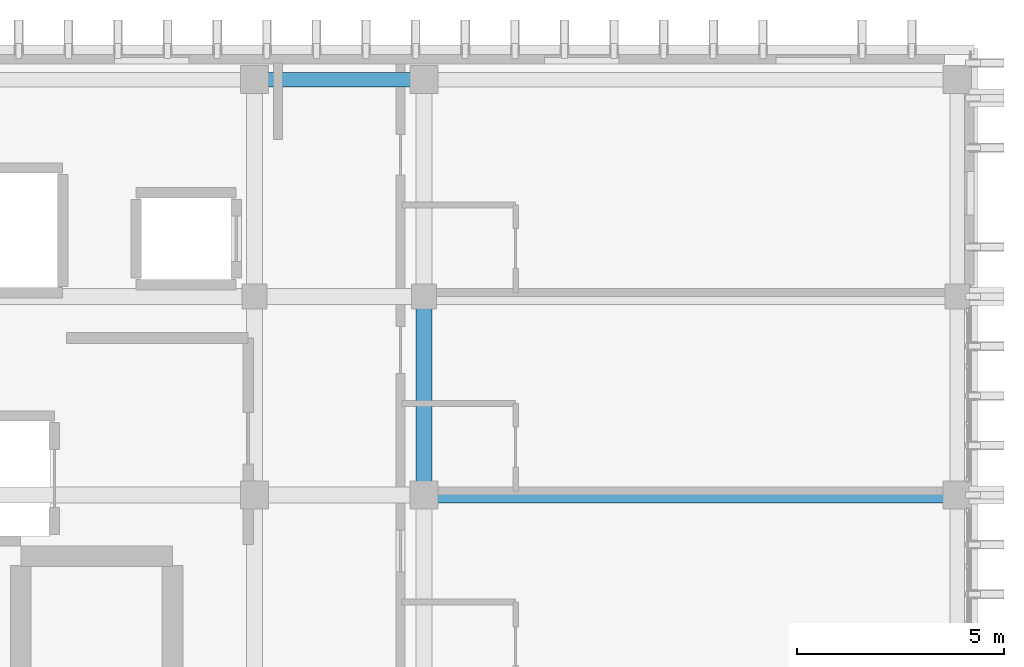
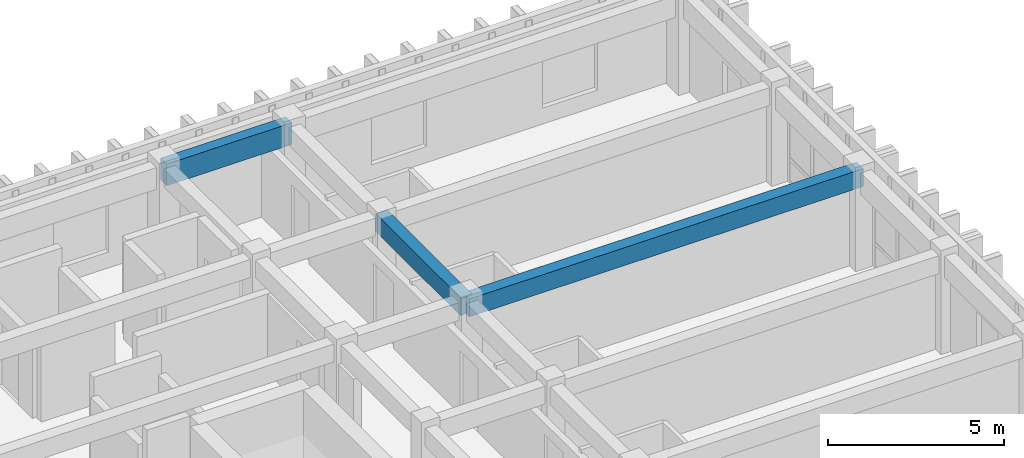
# One storey, part 39 of 53: 3 beams.
"""IFC4 building model written with IfcOpenShell, lengths in metres."""

from ifc_helpers import new_model, si_unit, direction, frame, origin, origin_2d, place, context, subcontext, project, spatial, rectangle, extrude, material, material_profile, profile_set, type_object, element, save


model = new_model("IFC4")

# Units and contexts
model_context = context("Model", 3, precision=1e-05, world=origin(), true_north=direction((0.0, 1.0)))
body_context = subcontext(model_context, "Body", "Model", "MODEL_VIEW")
ifc_project = project(units=[si_unit("LENGTHUNIT", "METRE"), si_unit("AREAUNIT", "SQUARE_METRE"), si_unit("VOLUMEUNIT", "CUBIC_METRE"), si_unit("PLANEANGLEUNIT", "RADIAN"), si_unit("MASSUNIT", "GRAM", prefix="KILO")], contexts=[model_context])

# Site, building, storey
site_placement = place(None, origin())
site = spatial("IfcSite", under=ifc_project, at=site_placement, CompositionType="ELEMENT")
building_placement = place(site_placement, origin())
building = spatial("IfcBuilding", under=site, at=building_placement, Name="Nakhvara Creek Congress Hotel", CompositionType="ELEMENT")
storey_placement = place(building_placement, frame((0.0, 0.0, 35.39990234375)))
storey = spatial("IfcBuildingStorey", under=building, at=storey_placement, Name="L08", CompositionType="ELEMENT", Elevation=35.39990234375)

# Beams
ifc_material = material(Name="Concrete C40/50", Category="concrete")
ifc_material_profile_1 = material_profile(ifc_material, rectangle(XDim=0.3798828125, YDim=0.6201171875, at=origin_2d()), Name="RC-BM 380x620", Category="LoadBearing")
ifc_profile_set_1 = profile_set([ifc_material_profile_1], Name="Concrete C40/50")
beam_type_1 = type_object("IfcBeamType", Name="BM-RC-380X620", PredefinedType="BEAM", material=ifc_profile_set_1)
beam_1_placement = place(storey_placement, frame((166.449951171875, 115.199951171875, 3.050048828125), z_axis=(1.0, 0.0, 0.0), x_axis=(0.0, 1.0, 0.0)))
element("IfcBeam", 1, at=beam_1_placement, inside=storey, type_object=beam_type_1, Name="Beam B10-L08-2491", PredefinedType="BEAM", context=body_context, shape_type="SweptSolid", body=[
    extrude(rectangle(XDim=0.3798828125, YDim=0.6201171875, at=origin_2d()), origin(), (0.0, 0.0, 1.0), 12.900146484375),
])
beam_2_placement = place(storey_placement, frame((166.449951171875, 115.199951171875, 3.050048828125), z_axis=(0.0, 1.0, 0.0), x_axis=(-1.0, 0.0, 0.0)))
element("IfcBeam", 2, at=beam_2_placement, inside=storey, type_object=beam_type_1, Name="Beam B10-L08-2493", PredefinedType="BEAM", context=body_context, shape_type="SweptSolid", body=[
    extrude(rectangle(XDim=0.3798828125, YDim=0.6201171875, at=origin_2d()), origin(), (0.0, 0.0, 1.0), 4.800048828125),
])
ifc_material_profile_2 = material_profile(ifc_material, rectangle(XDim=0.35009765625, YDim=0.75, at=origin_2d()), Name="RC-SPANDREL 350x750", Category="LoadBearing")
ifc_profile_set_2 = profile_set([ifc_material_profile_2], Name="Concrete C40/50")
beam_type_2 = type_object("IfcBeamType", Name="BM-SPN-350X750", PredefinedType="SPANDREL", material=ifc_profile_set_2)
beam_3_placement = place(storey_placement, frame((162.35009765625, 125.25, 2.985107421875), z_axis=(1.0, 0.0, 0.0), x_axis=(0.0, 1.0, 0.0)))
element("IfcBeam", 3, at=beam_3_placement, inside=storey, type_object=beam_type_2, Name="Beam SP1-L08-2471", PredefinedType="SPANDREL", context=body_context, shape_type="SweptSolid", body=[
    extrude(rectangle(XDim=0.35009765625, YDim=0.75, at=origin_2d()), origin(), (0.0, 0.0, 1.0), 4.099853515625),
])

save(model, "model.ifc")
